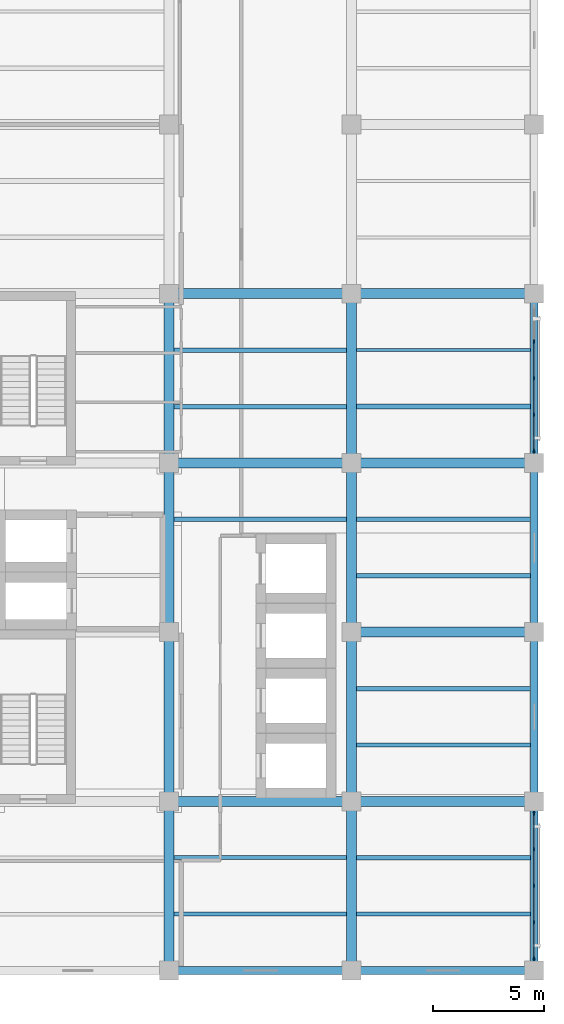
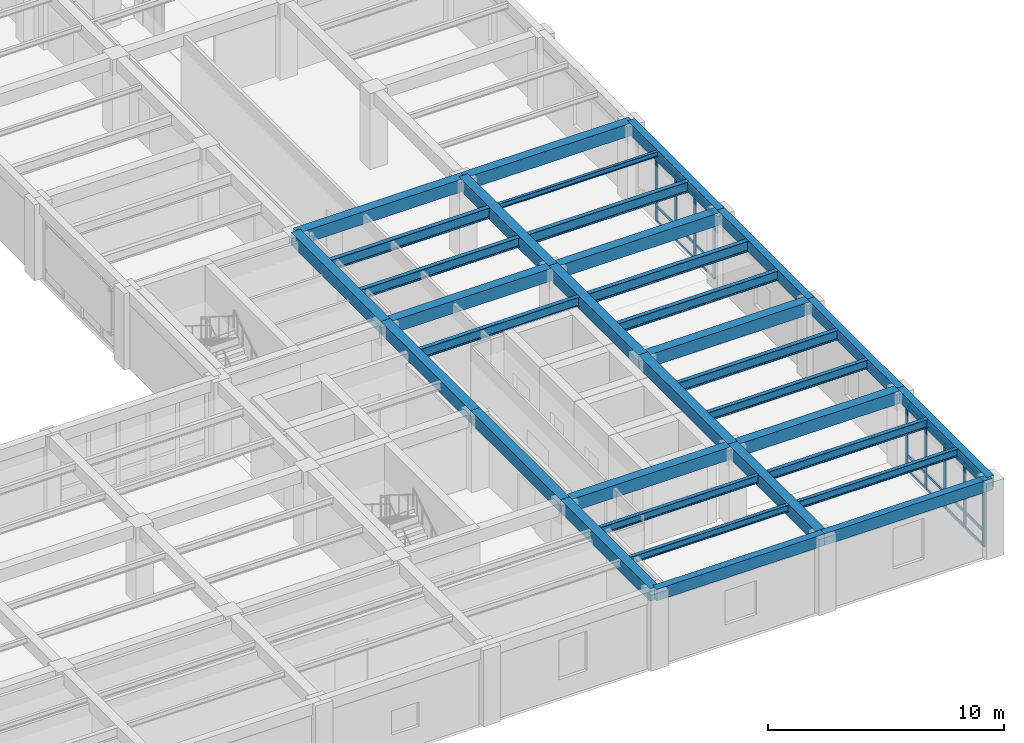
# One storey, part 3 of 17: 34 beams, 30 members, 2 elements without a shape of their own.
"""IFC4 building model written with IfcOpenShell, lengths in metres."""

from ifc_helpers import new_model, si_unit, direction, frame, origin, origin_2d, place, context, subcontext, project, spatial, rectangle, i_section, extrude, material, material_profile, profile_set, type_object, element, aggregate, save


model = new_model("IFC4")

# Units and contexts
model_context = context("Model", 3, precision=1e-05, world=origin(), true_north=direction((0.0, 1.0)))
body_context = subcontext(model_context, "Body", "Model", "MODEL_VIEW")
ifc_project = project(units=[si_unit("LENGTHUNIT", "METRE"), si_unit("AREAUNIT", "SQUARE_METRE"), si_unit("VOLUMEUNIT", "CUBIC_METRE"), si_unit("PLANEANGLEUNIT", "RADIAN"), si_unit("MASSUNIT", "GRAM", prefix="KILO")], contexts=[model_context])

# Site, building, storey
site_placement = place(None, origin())
site = spatial("IfcSite", under=ifc_project, at=site_placement, CompositionType="ELEMENT")
building_placement = place(site_placement, origin())
building = spatial("IfcBuilding", under=site, at=building_placement, Name="Qandaris Square Conservatory and Botanical Centre", CompositionType="ELEMENT")
storey_placement = place(building_placement, frame((0.0, 0.0, 28.199951171875)))
storey = spatial("IfcBuildingStorey", under=building, at=storey_placement, Name="L06", CompositionType="ELEMENT", Elevation=28.199951171875)

# Beams
ifc_material_1 = material(Name="Steel S355", Category="steel")
ifc_material_profile_1 = material_profile(ifc_material_1, i_section(OverallWidth=0.18994140625, OverallDepth=0.449951171875, WebThickness=0.009521484375, FlangeThickness=0.0146484375, FilletRadius=0.02099609375, at=origin_2d()), Name="IPE 450")
ifc_profile_set_1 = profile_set([ifc_material_profile_1], Name="Steel S355")
beam_type_1 = type_object("IfcBeamType", Name="Composite Archive Joist IPE 450", PredefinedType="JOIST", material=ifc_profile_set_1)
for number, where, z_axis, x_axis, name in (
    (1, (155.824951171875, 21.666748046875, 3.705078125), (1.0, 0.0, 0.0), (0.0, 1.0, 0.0), "L06 Composite Joist 2071"),
    (2, (155.824951171875, 26.7333984375, 3.705078125), (1.0, 0.0, 0.0), (0.0, 1.0, 0.0), "L06 Composite Joist 2072"),
):
    element("IfcBeam", number, at=place(storey_placement, frame(where, z_axis=z_axis, x_axis=x_axis)), inside=storey, type_object=beam_type_1, Name=name, PredefinedType="JOIST", context=body_context, shape_type="SweptSolid", body=[
        extrude(i_section(OverallWidth=0.18994140625, OverallDepth=0.449951171875, WebThickness=0.009521484375, FlangeThickness=0.0146484375, FilletRadius=0.02099609375, at=origin_2d()), origin(), (0.0, 0.0, 1.0), 7.800048828125),
    ])
ifc_material_profile_2 = material_profile(ifc_material_1, i_section(OverallWidth=0.199951171875, OverallDepth=0.5, WebThickness=0.01025390625, FlangeThickness=0.01611328125, FilletRadius=0.02099609375, at=origin_2d()), Name="IPE 500")
ifc_profile_set_2 = profile_set([ifc_material_profile_2], Name="Steel S355")
beam_type_2 = type_object("IfcBeamType", Name="Composite Gallery Joist IPE 500", PredefinedType="JOIST", material=ifc_profile_set_2)
for number, where, z_axis, x_axis, name in (
    (3, (147.625, 36.86669921875, 3.679931640625), (1.0, 0.0, 0.0), (0.0, 1.0, 0.0), "L06 Composite Joist 2065"),
    (4, (147.625, 41.933349609375, 3.679931640625), (1.0, 0.0, 0.0), (0.0, 1.0, 0.0), "L06 Composite Joist 2066"),
):
    element("IfcBeam", number, at=place(storey_placement, frame(where, z_axis=z_axis, x_axis=x_axis)), inside=storey, type_object=beam_type_2, Name=name, PredefinedType="JOIST", context=body_context, shape_type="SweptSolid", body=[
        extrude(i_section(OverallWidth=0.199951171875, OverallDepth=0.5, WebThickness=0.01025390625, FlangeThickness=0.01611328125, FilletRadius=0.02099609375, at=origin_2d()), origin(), (0.0, 0.0, 1.0), 7.75),
    ])
for number, where, z_axis, x_axis, name in (
    (5, (155.824951171875, 29.2666015625, 3.679931640625), (1.0, 0.0, 0.0), (0.0, 1.0, 0.0), "L06 Composite Joist 2073"),
    (6, (155.824951171875, 34.333251953125, 3.679931640625), (1.0, 0.0, 0.0), (0.0, 1.0, 0.0), "L06 Composite Joist 2074"),
):
    element("IfcBeam", number, at=place(storey_placement, frame(where, z_axis=z_axis, x_axis=x_axis)), inside=storey, type_object=beam_type_2, Name=name, PredefinedType="JOIST", context=body_context, shape_type="SweptSolid", body=[
        extrude(i_section(OverallWidth=0.199951171875, OverallDepth=0.5, WebThickness=0.01025390625, FlangeThickness=0.01611328125, FilletRadius=0.02099609375, at=origin_2d()), origin(), (0.0, 0.0, 1.0), 7.800048828125),
    ])
ifc_material_profile_3 = material_profile(ifc_material_1, i_section(OverallWidth=0.169921875, OverallDepth=0.360107421875, WebThickness=0.008056640625, FlangeThickness=0.0126953125, FilletRadius=0.01806640625, at=origin_2d()), Name="IPE 360")
ifc_profile_set_3 = profile_set([ifc_material_profile_3], Name="Steel S355")
beam_type_3 = type_object("IfcBeamType", Name="Composite Lab Joist IPE 360", PredefinedType="JOIST", material=ifc_profile_set_3)
beam_1_placement = place(storey_placement, frame((147.625, 19.13330078125, 3.75), z_axis=(1.0, 0.0, 0.0), x_axis=(0.0, 1.0, 0.0)))
element("IfcBeam", 7, at=beam_1_placement, inside=storey, type_object=beam_type_3, Name="L06 Composite Joist 2063", PredefinedType="JOIST", context=body_context, shape_type="SweptSolid", body=[
    extrude(i_section(OverallWidth=0.169921875, OverallDepth=0.360107421875, WebThickness=0.008056640625, FlangeThickness=0.0126953125, FilletRadius=0.01806640625, at=origin_2d()), origin(), (0.0, 0.0, 1.0), 7.75),
])
ifc_material_profile_4 = material_profile(ifc_material_1, i_section(OverallWidth=0.179931640625, OverallDepth=0.39990234375, WebThickness=0.008544921875, FlangeThickness=0.013427734375, FilletRadius=0.02099609375, at=origin_2d()), Name="IPE 400")
ifc_profile_set_4 = profile_set([ifc_material_profile_4], Name="Steel S355")
beam_type_4 = type_object("IfcBeamType", Name="Composite Plinth Joist IPE 400", PredefinedType="JOIST", material=ifc_profile_set_4)
beam_2_placement = place(storey_placement, frame((147.625, 21.666748046875, 3.72998046875), z_axis=(1.0, 0.0, 0.0), x_axis=(0.0, 1.0, 0.0)))
element("IfcBeam", 8, at=beam_2_placement, inside=storey, type_object=beam_type_4, Name="L06 Composite Joist 2064", PredefinedType="JOIST", context=body_context, shape_type="SweptSolid", body=[
    extrude(i_section(OverallWidth=0.179931640625, OverallDepth=0.39990234375, WebThickness=0.008544921875, FlangeThickness=0.013427734375, FilletRadius=0.02099609375, at=origin_2d()), origin(), (0.0, 0.0, 1.0), 7.75),
])
beam_3_placement = place(storey_placement, frame((155.824951171875, 19.13330078125, 3.72998046875), z_axis=(1.0, 0.0, 0.0), x_axis=(0.0, 1.0, 0.0)))
element("IfcBeam", 9, at=beam_3_placement, inside=storey, type_object=beam_type_4, Name="L06 Composite Joist 2070", PredefinedType="JOIST", context=body_context, shape_type="SweptSolid", body=[
    extrude(i_section(OverallWidth=0.179931640625, OverallDepth=0.39990234375, WebThickness=0.008544921875, FlangeThickness=0.013427734375, FilletRadius=0.02099609375, at=origin_2d()), origin(), (0.0, 0.0, 1.0), 7.800048828125),
])

# Curtain wall, members
ifc_material_2 = material(Name="Anodised Aluminium", Category="aluminium")
curtain_wall_type = type_object("IfcCurtainWallType", Name="Unitised Curtain Wall CW-4-655x334", PredefinedType="USERDEFINED", material=ifc_material_2)
curtain_wall_1_placement = place(storey_placement, origin())
curtain_wall_1 = element("IfcCurtainWall", 10, at=curtain_wall_1_placement, inside=storey, type_object=curtain_wall_type, Name="Curtain Wall CW-TWR-L06-2-1", ObjectType="GLAZED CURTAIN WALL", PredefinedType="USERDEFINED")
ifc_material_profile_5 = material_profile(ifc_material_2, rectangle(XDim=0.06494140625, YDim=0.179931640625, at=origin_2d()), Name="ALU-MUL 65x180")
ifc_profile_set_5 = profile_set([ifc_material_profile_5], Name="Anodised Aluminium")
member_type_1 = type_object("IfcMemberType", Name="Curtain Wall Mullion 65x180", PredefinedType="MULLION", material=ifc_profile_set_5)
member_1_placement = place(storey_placement, frame((163.800048828125, 17.157470703125, 0.0), z_axis=(0.0, 0.0, 1.0), x_axis=(-1.0, 0.0, 0.0)))
member_1 = element("IfcMember", 11, at=member_1_placement, type_object=member_type_1, Name="CW-4-655x334 mullion 1", PredefinedType="MULLION", context=body_context, shape_type="SweptSolid", body=[
    extrude(rectangle(XDim=0.06494140625, YDim=0.179931640625, at=origin_2d()), origin(), (0.0, 0.0, 1.0), 3.340087890625),
])
member_2_placement = place(storey_placement, frame((163.800048828125, 18.762451171875, 0.0), z_axis=(0.0, 0.0, 1.0), x_axis=(-1.0, 0.0, 0.0)))
member_2 = element("IfcMember", 12, at=member_2_placement, type_object=member_type_1, Name="CW-4-655x334 mullion 2", PredefinedType="MULLION", context=body_context, shape_type="SweptSolid", body=[
    extrude(rectangle(XDim=0.06494140625, YDim=0.179931640625, at=origin_2d()), origin(), (0.0, 0.0, 1.0), 3.340087890625),
])
member_3_placement = place(storey_placement, frame((163.800048828125, 20.39990234375, 0.0), z_axis=(0.0, 0.0, 1.0), x_axis=(-1.0, 0.0, 0.0)))
member_3 = element("IfcMember", 13, at=member_3_placement, type_object=member_type_1, Name="CW-4-655x334 mullion 3", PredefinedType="MULLION", context=body_context, shape_type="SweptSolid", body=[
    extrude(rectangle(XDim=0.06494140625, YDim=0.179931640625, at=origin_2d()), origin(), (0.0, 0.0, 1.0), 3.340087890625),
])
member_4_placement = place(storey_placement, frame((163.800048828125, 22.03759765625, 0.0), z_axis=(0.0, 0.0, 1.0), x_axis=(-1.0, 0.0, 0.0)))
member_4 = element("IfcMember", 14, at=member_4_placement, type_object=member_type_1, Name="CW-4-655x334 mullion 4", PredefinedType="MULLION", context=body_context, shape_type="SweptSolid", body=[
    extrude(rectangle(XDim=0.06494140625, YDim=0.179931640625, at=origin_2d()), origin(), (0.0, 0.0, 1.0), 3.340087890625),
])
member_5_placement = place(storey_placement, frame((163.800048828125, 23.642578125, 0.0), z_axis=(0.0, 0.0, 1.0), x_axis=(-1.0, 0.0, 0.0)))
member_5 = element("IfcMember", 15, at=member_5_placement, type_object=member_type_1, Name="CW-4-655x334 mullion 5", PredefinedType="MULLION", context=body_context, shape_type="SweptSolid", body=[
    extrude(rectangle(XDim=0.06494140625, YDim=0.179931640625, at=origin_2d()), origin(), (0.0, 0.0, 1.0), 3.340087890625),
])

curtain_wall_2_placement = place(storey_placement, origin())
curtain_wall_2 = element("IfcCurtainWall", 16, at=curtain_wall_2_placement, inside=storey, type_object=curtain_wall_type, Name="Curtain Wall CW-TWR-L06-2-4", ObjectType="GLAZED CURTAIN WALL", PredefinedType="USERDEFINED")
member_6_placement = place(storey_placement, frame((163.800048828125, 39.95751953125, 0.0), z_axis=(0.0, 0.0, 1.0), x_axis=(-1.0, 0.0, 0.0)))
member_6 = element("IfcMember", 17, at=member_6_placement, type_object=member_type_1, Name="CW-4-655x334 mullion 1", PredefinedType="MULLION", context=body_context, shape_type="SweptSolid", body=[
    extrude(rectangle(XDim=0.06494140625, YDim=0.179931640625, at=origin_2d()), origin(), (0.0, 0.0, 1.0), 3.340087890625),
])
member_7_placement = place(storey_placement, frame((163.800048828125, 41.5625, 0.0), z_axis=(0.0, 0.0, 1.0), x_axis=(-1.0, 0.0, 0.0)))
member_7 = element("IfcMember", 18, at=member_7_placement, type_object=member_type_1, Name="CW-4-655x334 mullion 2", PredefinedType="MULLION", context=body_context, shape_type="SweptSolid", body=[
    extrude(rectangle(XDim=0.06494140625, YDim=0.179931640625, at=origin_2d()), origin(), (0.0, 0.0, 1.0), 3.340087890625),
])
member_8_placement = place(storey_placement, frame((163.800048828125, 43.199951171875, 0.0), z_axis=(0.0, 0.0, 1.0), x_axis=(-1.0, 0.0, 0.0)))
member_8 = element("IfcMember", 19, at=member_8_placement, type_object=member_type_1, Name="CW-4-655x334 mullion 3", PredefinedType="MULLION", context=body_context, shape_type="SweptSolid", body=[
    extrude(rectangle(XDim=0.06494140625, YDim=0.179931640625, at=origin_2d()), origin(), (0.0, 0.0, 1.0), 3.340087890625),
])
member_9_placement = place(storey_placement, frame((163.800048828125, 44.83740234375, 0.0), z_axis=(0.0, 0.0, 1.0), x_axis=(-1.0, 0.0, 0.0)))
member_9 = element("IfcMember", 20, at=member_9_placement, type_object=member_type_1, Name="CW-4-655x334 mullion 4", PredefinedType="MULLION", context=body_context, shape_type="SweptSolid", body=[
    extrude(rectangle(XDim=0.06494140625, YDim=0.179931640625, at=origin_2d()), origin(), (0.0, 0.0, 1.0), 3.340087890625),
])

# Member
ifc_material_profile_6 = material_profile(ifc_material_2, rectangle(XDim=0.06494140625, YDim=0.139892578125, at=origin_2d()), Name="ALU-TRN 65x140")
ifc_profile_set_6 = profile_set([ifc_material_profile_6], Name="Anodised Aluminium")
member_type_2 = type_object("IfcMemberType", Name="Curtain Wall Transom 65x140", PredefinedType="USERDEFINED", material=ifc_profile_set_6)
member_10_placement = place(storey_placement, frame((163.800048828125, 17.18994140625, 0.032470703125), z_axis=(0.0, 1.0, 0.0), x_axis=(-1.0, 0.0, 0.0)))
member_10 = element("IfcMember", 21, at=member_10_placement, type_object=member_type_2, Name="CW-4-655x334 transom 1.1", ObjectType="TRANSOM", PredefinedType="USERDEFINED", context=body_context, shape_type="SweptSolid", body=[
    extrude(rectangle(XDim=0.06494140625, YDim=0.139892578125, at=origin_2d()), origin(), (0.0, 0.0, 1.0), 1.5400390625),
])

member_11_placement = place(storey_placement, frame((163.800048828125, 17.18994140625, 0.8017578125), z_axis=(0.0, 1.0, 0.0), x_axis=(-1.0, 0.0, 0.0)))
member_11 = element("IfcMember", 22, at=member_11_placement, type_object=member_type_2, Name="CW-4-655x334 transom 1.2", ObjectType="TRANSOM", PredefinedType="USERDEFINED", context=body_context, shape_type="SweptSolid", body=[
    extrude(rectangle(XDim=0.06494140625, YDim=0.139892578125, at=origin_2d()), origin(), (0.0, 0.0, 1.0), 1.5400390625),
])

member_12_placement = place(storey_placement, frame((163.800048828125, 17.18994140625, 3.3076171875), z_axis=(0.0, 1.0, 0.0), x_axis=(-1.0, 0.0, 0.0)))
member_12 = element("IfcMember", 23, at=member_12_placement, type_object=member_type_2, Name="CW-4-655x334 transom 1.3", ObjectType="TRANSOM", PredefinedType="USERDEFINED", context=body_context, shape_type="SweptSolid", body=[
    extrude(rectangle(XDim=0.06494140625, YDim=0.139892578125, at=origin_2d()), origin(), (0.0, 0.0, 1.0), 1.5400390625),
])

member_13_placement = place(storey_placement, frame((163.800048828125, 18.794921875, 0.032470703125), z_axis=(0.0, 1.0, 0.0), x_axis=(-1.0, 0.0, 0.0)))
member_13 = element("IfcMember", 24, at=member_13_placement, type_object=member_type_2, Name="CW-4-655x334 transom 2.1", ObjectType="TRANSOM", PredefinedType="USERDEFINED", context=body_context, shape_type="SweptSolid", body=[
    extrude(rectangle(XDim=0.06494140625, YDim=0.139892578125, at=origin_2d()), origin(), (0.0, 0.0, 1.0), 1.572509765625),
])

member_14_placement = place(storey_placement, frame((163.800048828125, 18.794921875, 0.8017578125), z_axis=(0.0, 1.0, 0.0), x_axis=(-1.0, 0.0, 0.0)))
member_14 = element("IfcMember", 25, at=member_14_placement, type_object=member_type_2, Name="CW-4-655x334 transom 2.2", ObjectType="TRANSOM", PredefinedType="USERDEFINED", context=body_context, shape_type="SweptSolid", body=[
    extrude(rectangle(XDim=0.06494140625, YDim=0.139892578125, at=origin_2d()), origin(), (0.0, 0.0, 1.0), 1.572509765625),
])

member_15_placement = place(storey_placement, frame((163.800048828125, 18.794921875, 3.3076171875), z_axis=(0.0, 1.0, 0.0), x_axis=(-1.0, 0.0, 0.0)))
member_15 = element("IfcMember", 26, at=member_15_placement, type_object=member_type_2, Name="CW-4-655x334 transom 2.3", ObjectType="TRANSOM", PredefinedType="USERDEFINED", context=body_context, shape_type="SweptSolid", body=[
    extrude(rectangle(XDim=0.06494140625, YDim=0.139892578125, at=origin_2d()), origin(), (0.0, 0.0, 1.0), 1.572509765625),
])

member_16_placement = place(storey_placement, frame((163.800048828125, 20.4326171875, 0.032470703125), z_axis=(0.0, 1.0, 0.0), x_axis=(-1.0, 0.0, 0.0)))
member_16 = element("IfcMember", 27, at=member_16_placement, type_object=member_type_2, Name="CW-4-655x334 transom 3.1", ObjectType="TRANSOM", PredefinedType="USERDEFINED", context=body_context, shape_type="SweptSolid", body=[
    extrude(rectangle(XDim=0.06494140625, YDim=0.139892578125, at=origin_2d()), origin(), (0.0, 0.0, 1.0), 1.572265625),
])

member_17_placement = place(storey_placement, frame((163.800048828125, 20.4326171875, 0.8017578125), z_axis=(0.0, 1.0, 0.0), x_axis=(-1.0, 0.0, 0.0)))
member_17 = element("IfcMember", 28, at=member_17_placement, type_object=member_type_2, Name="CW-4-655x334 transom 3.2", ObjectType="TRANSOM", PredefinedType="USERDEFINED", context=body_context, shape_type="SweptSolid", body=[
    extrude(rectangle(XDim=0.06494140625, YDim=0.139892578125, at=origin_2d()), origin(), (0.0, 0.0, 1.0), 1.572265625),
])

member_18_placement = place(storey_placement, frame((163.800048828125, 20.4326171875, 3.3076171875), z_axis=(0.0, 1.0, 0.0), x_axis=(-1.0, 0.0, 0.0)))
member_18 = element("IfcMember", 29, at=member_18_placement, type_object=member_type_2, Name="CW-4-655x334 transom 3.3", ObjectType="TRANSOM", PredefinedType="USERDEFINED", context=body_context, shape_type="SweptSolid", body=[
    extrude(rectangle(XDim=0.06494140625, YDim=0.139892578125, at=origin_2d()), origin(), (0.0, 0.0, 1.0), 1.572265625),
])

member_19_placement = place(storey_placement, frame((163.800048828125, 22.070068359375, 0.032470703125), z_axis=(0.0, 1.0, 0.0), x_axis=(-1.0, 0.0, 0.0)))
member_19 = element("IfcMember", 30, at=member_19_placement, type_object=member_type_2, Name="CW-4-655x334 transom 4.1", ObjectType="TRANSOM", PredefinedType="USERDEFINED", context=body_context, shape_type="SweptSolid", body=[
    extrude(rectangle(XDim=0.06494140625, YDim=0.139892578125, at=origin_2d()), origin(), (0.0, 0.0, 1.0), 1.5400390625),
])

member_20_placement = place(storey_placement, frame((163.800048828125, 22.070068359375, 0.8017578125), z_axis=(0.0, 1.0, 0.0), x_axis=(-1.0, 0.0, 0.0)))
member_20 = element("IfcMember", 31, at=member_20_placement, type_object=member_type_2, Name="CW-4-655x334 transom 4.2", ObjectType="TRANSOM", PredefinedType="USERDEFINED", context=body_context, shape_type="SweptSolid", body=[
    extrude(rectangle(XDim=0.06494140625, YDim=0.139892578125, at=origin_2d()), origin(), (0.0, 0.0, 1.0), 1.5400390625),
])

member_21_placement = place(storey_placement, frame((163.800048828125, 22.070068359375, 3.3076171875), z_axis=(0.0, 1.0, 0.0), x_axis=(-1.0, 0.0, 0.0)))
member_21 = element("IfcMember", 32, at=member_21_placement, type_object=member_type_2, Name="CW-4-655x334 transom 4.3", ObjectType="TRANSOM", PredefinedType="USERDEFINED", context=body_context, shape_type="SweptSolid", body=[
    extrude(rectangle(XDim=0.06494140625, YDim=0.139892578125, at=origin_2d()), origin(), (0.0, 0.0, 1.0), 1.5400390625),
])

aggregate(curtain_wall_1, [member_1, member_2, member_3, member_4, member_5, member_10, member_11, member_12, member_13, member_14, member_15, member_16, member_17, member_18, member_19, member_20, member_21])

member_22_placement = place(storey_placement, frame((163.800048828125, 39.989990234375, 0.032470703125), z_axis=(0.0, 1.0, 0.0), x_axis=(-1.0, 0.0, 0.0)))
member_22 = element("IfcMember", 33, at=member_22_placement, type_object=member_type_2, Name="CW-4-655x334 transom 1.1", ObjectType="TRANSOM", PredefinedType="USERDEFINED", context=body_context, shape_type="SweptSolid", body=[
    extrude(rectangle(XDim=0.06494140625, YDim=0.139892578125, at=origin_2d()), origin(), (0.0, 0.0, 1.0), 1.5400390625),
])

member_23_placement = place(storey_placement, frame((163.800048828125, 39.989990234375, 0.8017578125), z_axis=(0.0, 1.0, 0.0), x_axis=(-1.0, 0.0, 0.0)))
member_23 = element("IfcMember", 34, at=member_23_placement, type_object=member_type_2, Name="CW-4-655x334 transom 1.2", ObjectType="TRANSOM", PredefinedType="USERDEFINED", context=body_context, shape_type="SweptSolid", body=[
    extrude(rectangle(XDim=0.06494140625, YDim=0.139892578125, at=origin_2d()), origin(), (0.0, 0.0, 1.0), 1.5400390625),
])

member_24_placement = place(storey_placement, frame((163.800048828125, 39.989990234375, 3.3076171875), z_axis=(0.0, 1.0, 0.0), x_axis=(-1.0, 0.0, 0.0)))
member_24 = element("IfcMember", 35, at=member_24_placement, type_object=member_type_2, Name="CW-4-655x334 transom 1.3", ObjectType="TRANSOM", PredefinedType="USERDEFINED", context=body_context, shape_type="SweptSolid", body=[
    extrude(rectangle(XDim=0.06494140625, YDim=0.139892578125, at=origin_2d()), origin(), (0.0, 0.0, 1.0), 1.5400390625),
])

member_25_placement = place(storey_placement, frame((163.800048828125, 41.594970703125, 0.032470703125), z_axis=(0.0, 1.0, 0.0), x_axis=(-1.0, 0.0, 0.0)))
member_25 = element("IfcMember", 36, at=member_25_placement, type_object=member_type_2, Name="CW-4-655x334 transom 2.1", ObjectType="TRANSOM", PredefinedType="USERDEFINED", context=body_context, shape_type="SweptSolid", body=[
    extrude(rectangle(XDim=0.06494140625, YDim=0.139892578125, at=origin_2d()), origin(), (0.0, 0.0, 1.0), 1.572509765625),
])

member_26_placement = place(storey_placement, frame((163.800048828125, 41.594970703125, 0.8017578125), z_axis=(0.0, 1.0, 0.0), x_axis=(-1.0, 0.0, 0.0)))
member_26 = element("IfcMember", 37, at=member_26_placement, type_object=member_type_2, Name="CW-4-655x334 transom 2.2", ObjectType="TRANSOM", PredefinedType="USERDEFINED", context=body_context, shape_type="SweptSolid", body=[
    extrude(rectangle(XDim=0.06494140625, YDim=0.139892578125, at=origin_2d()), origin(), (0.0, 0.0, 1.0), 1.572509765625),
])

member_27_placement = place(storey_placement, frame((163.800048828125, 41.594970703125, 3.3076171875), z_axis=(0.0, 1.0, 0.0), x_axis=(-1.0, 0.0, 0.0)))
member_27 = element("IfcMember", 38, at=member_27_placement, type_object=member_type_2, Name="CW-4-655x334 transom 2.3", ObjectType="TRANSOM", PredefinedType="USERDEFINED", context=body_context, shape_type="SweptSolid", body=[
    extrude(rectangle(XDim=0.06494140625, YDim=0.139892578125, at=origin_2d()), origin(), (0.0, 0.0, 1.0), 1.572509765625),
])

member_28_placement = place(storey_placement, frame((163.800048828125, 43.232421875, 0.032470703125), z_axis=(0.0, 1.0, 0.0), x_axis=(-1.0, 0.0, 0.0)))
member_28 = element("IfcMember", 39, at=member_28_placement, type_object=member_type_2, Name="CW-4-655x334 transom 3.1", ObjectType="TRANSOM", PredefinedType="USERDEFINED", context=body_context, shape_type="SweptSolid", body=[
    extrude(rectangle(XDim=0.06494140625, YDim=0.139892578125, at=origin_2d()), origin(), (0.0, 0.0, 1.0), 1.572509765625),
])

member_29_placement = place(storey_placement, frame((163.800048828125, 43.232421875, 0.8017578125), z_axis=(0.0, 1.0, 0.0), x_axis=(-1.0, 0.0, 0.0)))
member_29 = element("IfcMember", 40, at=member_29_placement, type_object=member_type_2, Name="CW-4-655x334 transom 3.2", ObjectType="TRANSOM", PredefinedType="USERDEFINED", context=body_context, shape_type="SweptSolid", body=[
    extrude(rectangle(XDim=0.06494140625, YDim=0.139892578125, at=origin_2d()), origin(), (0.0, 0.0, 1.0), 1.572509765625),
])

member_30_placement = place(storey_placement, frame((163.800048828125, 43.232421875, 3.3076171875), z_axis=(0.0, 1.0, 0.0), x_axis=(-1.0, 0.0, 0.0)))
member_30 = element("IfcMember", 41, at=member_30_placement, type_object=member_type_2, Name="CW-4-655x334 transom 3.3", ObjectType="TRANSOM", PredefinedType="USERDEFINED", context=body_context, shape_type="SweptSolid", body=[
    extrude(rectangle(XDim=0.06494140625, YDim=0.139892578125, at=origin_2d()), origin(), (0.0, 0.0, 1.0), 1.572509765625),
])

aggregate(curtain_wall_2, [member_6, member_7, member_8, member_9, member_22, member_23, member_24, member_25, member_26, member_27, member_28, member_29, member_30])

# Beams
ifc_material_profile_7 = material_profile(ifc_material_1, i_section(OverallWidth=0.2099609375, OverallDepth=0.550048828125, WebThickness=0.010986328125, FlangeThickness=0.01708984375, FilletRadius=0.02392578125, at=origin_2d()), Name="IPE 550")
ifc_profile_set_7 = profile_set([ifc_material_profile_7], Name="Steel S355")
beam_type_5 = type_object("IfcBeamType", Name="Long-Span Foyer Joist IPE 550", PredefinedType="JOIST", material=ifc_profile_set_7)
beam_4_placement = place(storey_placement, frame((147.625, 44.466796875, 3.655029296875), z_axis=(1.0, 0.0, 0.0), x_axis=(0.0, 1.0, 0.0)))
element("IfcBeam", 42, at=beam_4_placement, inside=storey, type_object=beam_type_5, Name="L06 Composite Joist 2067", PredefinedType="JOIST", context=body_context, shape_type="SweptSolid", body=[
    extrude(i_section(OverallWidth=0.2099609375, OverallDepth=0.550048828125, WebThickness=0.010986328125, FlangeThickness=0.01708984375, FilletRadius=0.02392578125, at=origin_2d()), origin(), (0.0, 0.0, 1.0), 7.75),
])
for number, where, z_axis, x_axis, name in (
    (43, (155.824951171875, 36.86669921875, 3.655029296875), (1.0, 0.0, 0.0), (0.0, 1.0, 0.0), "L06 Composite Joist 2075"),
    (44, (155.824951171875, 41.933349609375, 3.655029296875), (1.0, 0.0, 0.0), (0.0, 1.0, 0.0), "L06 Composite Joist 2076"),
):
    element("IfcBeam", number, at=place(storey_placement, frame(where, z_axis=z_axis, x_axis=x_axis)), inside=storey, type_object=beam_type_5, Name=name, PredefinedType="JOIST", context=body_context, shape_type="SweptSolid", body=[
        extrude(i_section(OverallWidth=0.2099609375, OverallDepth=0.550048828125, WebThickness=0.010986328125, FlangeThickness=0.01708984375, FilletRadius=0.02392578125, at=origin_2d()), origin(), (0.0, 0.0, 1.0), 7.800048828125),
    ])
ifc_material_3 = material(Name="Concrete C50/60", Category="concrete")
ifc_material_profile_8 = material_profile(ifc_material_3, rectangle(XDim=0.35009765625, YDim=0.60009765625, at=origin_2d()), Name="RC-SP 350x600")
ifc_profile_set_8 = profile_set([ifc_material_profile_8], Name="Concrete C50/60")
beam_type_6 = type_object("IfcBeamType", Name="RC Edge Spandrel Beam 350x600", PredefinedType="SPANDREL", material=ifc_profile_set_8)
beam_5_placement = place(storey_placement, frame((147.39990234375, 16.60009765625, 3.64013671875), z_axis=(1.0, 0.0, 0.0), x_axis=(0.0, 1.0, 0.0)))
element("IfcBeam", 45, at=beam_5_placement, inside=storey, type_object=beam_type_6, Name="L06 Frame Beam 1961", PredefinedType="SPANDREL", context=body_context, shape_type="SweptSolid", body=[
    extrude(rectangle(XDim=0.35009765625, YDim=0.60009765625, at=origin_2d()), origin(), (0.0, 0.0, 1.0), 8.2001953125),
])
beam_6_placement = place(storey_placement, frame((155.60009765625, 16.60009765625, 3.64013671875), z_axis=(1.0, 0.0, 0.0), x_axis=(0.0, 1.0, 0.0)))
element("IfcBeam", 46, at=beam_6_placement, inside=storey, type_object=beam_type_6, Name="L06 Frame Beam 1962", PredefinedType="SPANDREL", context=body_context, shape_type="SweptSolid", body=[
    extrude(rectangle(XDim=0.35009765625, YDim=0.60009765625, at=origin_2d()), origin(), (0.0, 0.0, 1.0), 8.199951171875),
])
beam_7_placement = place(storey_placement, frame((163.800048828125, 16.60009765625, 3.64013671875), z_axis=(0.0, 1.0, 0.0), x_axis=(-1.0, 0.0, 0.0)))
element("IfcBeam", 47, at=beam_7_placement, inside=storey, type_object=beam_type_6, Name="L06 Frame Beam 2026", PredefinedType="SPANDREL", context=body_context, shape_type="SweptSolid", body=[
    extrude(rectangle(XDim=0.35009765625, YDim=0.60009765625, at=origin_2d()), origin(), (0.0, 0.0, 1.0), 7.599853515625),
])
beam_8_placement = place(storey_placement, frame((163.800048828125, 24.199951171875, 3.64013671875), z_axis=(0.0, 1.0, 0.0), x_axis=(-1.0, 0.0, 0.0)))
element("IfcBeam", 48, at=beam_8_placement, inside=storey, type_object=beam_type_6, Name="L06 Frame Beam 2027", PredefinedType="SPANDREL", context=body_context, shape_type="SweptSolid", body=[
    extrude(rectangle(XDim=0.35009765625, YDim=0.60009765625, at=origin_2d()), origin(), (0.0, 0.0, 1.0), 7.60009765625),
])
beam_9_placement = place(storey_placement, frame((163.800048828125, 31.800048828125, 3.64013671875), z_axis=(0.0, 1.0, 0.0), x_axis=(-1.0, 0.0, 0.0)))
element("IfcBeam", 49, at=beam_9_placement, inside=storey, type_object=beam_type_6, Name="L06 Frame Beam 2028", PredefinedType="SPANDREL", context=body_context, shape_type="SweptSolid", body=[
    extrude(rectangle(XDim=0.35009765625, YDim=0.60009765625, at=origin_2d()), origin(), (0.0, 0.0, 1.0), 7.599853515625),
])
beam_10_placement = place(storey_placement, frame((163.800048828125, 39.39990234375, 3.64013671875), z_axis=(0.0, 1.0, 0.0), x_axis=(-1.0, 0.0, 0.0)))
element("IfcBeam", 50, at=beam_10_placement, inside=storey, type_object=beam_type_6, Name="L06 Frame Beam 2029", PredefinedType="SPANDREL", context=body_context, shape_type="SweptSolid", body=[
    extrude(rectangle(XDim=0.35009765625, YDim=0.60009765625, at=origin_2d()), origin(), (0.0, 0.0, 1.0), 7.60009765625),
])
ifc_material_profile_9 = material_profile(ifc_material_3, rectangle(XDim=0.449951171875, YDim=0.64990234375, at=origin_2d()), Name="RC-BM 450x650")
ifc_profile_set_9 = profile_set([ifc_material_profile_9], Name="Concrete C50/60")
beam_type_7 = type_object("IfcBeamType", Name="RC Floor Girder 450x650", PredefinedType="BEAM", material=ifc_profile_set_9)
beam_11_placement = place(storey_placement, frame((147.39990234375, 24.199951171875, 3.614990234375), z_axis=(1.0, 0.0, 0.0), x_axis=(0.0, 1.0, 0.0)))
element("IfcBeam", 51, at=beam_11_placement, inside=storey, type_object=beam_type_7, Name="L06 Frame Beam 1967", PredefinedType="BEAM", context=body_context, shape_type="SweptSolid", body=[
    extrude(rectangle(XDim=0.449951171875, YDim=0.64990234375, at=origin_2d()), origin(), (0.0, 0.0, 1.0), 8.2001953125),
])
for number, where, z_axis, x_axis, name in (
    (52, (155.60009765625, 24.199951171875, 3.614990234375), (1.0, 0.0, 0.0), (0.0, 1.0, 0.0), "L06 Frame Beam 1968"),
    (53, (155.60009765625, 31.800048828125, 3.614990234375), (1.0, 0.0, 0.0), (0.0, 1.0, 0.0), "L06 Frame Beam 1973"),
):
    element("IfcBeam", number, at=place(storey_placement, frame(where, z_axis=z_axis, x_axis=x_axis)), inside=storey, type_object=beam_type_7, Name=name, PredefinedType="BEAM", context=body_context, shape_type="SweptSolid", body=[
        extrude(rectangle(XDim=0.449951171875, YDim=0.64990234375, at=origin_2d()), origin(), (0.0, 0.0, 1.0), 8.199951171875),
    ])
beam_12_placement = place(storey_placement, frame((147.39990234375, 39.39990234375, 3.614990234375), z_axis=(1.0, 0.0, 0.0), x_axis=(0.0, 1.0, 0.0)))
element("IfcBeam", 54, at=beam_12_placement, inside=storey, type_object=beam_type_7, Name="L06 Frame Beam 1978", PredefinedType="BEAM", context=body_context, shape_type="SweptSolid", body=[
    extrude(rectangle(XDim=0.449951171875, YDim=0.64990234375, at=origin_2d()), origin(), (0.0, 0.0, 1.0), 8.2001953125),
])
beam_13_placement = place(storey_placement, frame((155.60009765625, 39.39990234375, 3.614990234375), z_axis=(1.0, 0.0, 0.0), x_axis=(0.0, 1.0, 0.0)))
element("IfcBeam", 55, at=beam_13_placement, inside=storey, type_object=beam_type_7, Name="L06 Frame Beam 1979", PredefinedType="BEAM", context=body_context, shape_type="SweptSolid", body=[
    extrude(rectangle(XDim=0.449951171875, YDim=0.64990234375, at=origin_2d()), origin(), (0.0, 0.0, 1.0), 8.199951171875),
])
beam_14_placement = place(storey_placement, frame((147.39990234375, 47.0, 3.614990234375), z_axis=(1.0, 0.0, 0.0), x_axis=(0.0, 1.0, 0.0)))
element("IfcBeam", 56, at=beam_14_placement, inside=storey, type_object=beam_type_7, Name="L06 Frame Beam 1981", PredefinedType="BEAM", context=body_context, shape_type="SweptSolid", body=[
    extrude(rectangle(XDim=0.449951171875, YDim=0.64990234375, at=origin_2d()), origin(), (0.0, 0.0, 1.0), 8.2001953125),
])
beam_15_placement = place(storey_placement, frame((155.60009765625, 47.0, 3.614990234375), z_axis=(1.0, 0.0, 0.0), x_axis=(0.0, 1.0, 0.0)))
element("IfcBeam", 57, at=beam_15_placement, inside=storey, type_object=beam_type_7, Name="L06 Frame Beam 1982", PredefinedType="BEAM", context=body_context, shape_type="SweptSolid", body=[
    extrude(rectangle(XDim=0.449951171875, YDim=0.64990234375, at=origin_2d()), origin(), (0.0, 0.0, 1.0), 8.199951171875),
])
beam_16_placement = place(storey_placement, frame((147.39990234375, 16.60009765625, 3.614990234375), z_axis=(0.0, 1.0, 0.0), x_axis=(-1.0, 0.0, 0.0)))
element("IfcBeam", 58, at=beam_16_placement, inside=storey, type_object=beam_type_7, Name="L06 Frame Beam 2010", PredefinedType="BEAM", context=body_context, shape_type="SweptSolid", body=[
    extrude(rectangle(XDim=0.449951171875, YDim=0.64990234375, at=origin_2d()), origin(), (0.0, 0.0, 1.0), 7.599853515625),
])
beam_17_placement = place(storey_placement, frame((147.39990234375, 24.199951171875, 3.614990234375), z_axis=(0.0, 1.0, 0.0), x_axis=(-1.0, 0.0, 0.0)))
element("IfcBeam", 59, at=beam_17_placement, inside=storey, type_object=beam_type_7, Name="L06 Frame Beam 2011", PredefinedType="BEAM", context=body_context, shape_type="SweptSolid", body=[
    extrude(rectangle(XDim=0.449951171875, YDim=0.64990234375, at=origin_2d()), origin(), (0.0, 0.0, 1.0), 7.60009765625),
])
beam_18_placement = place(storey_placement, frame((147.39990234375, 31.800048828125, 3.614990234375), z_axis=(0.0, 1.0, 0.0), x_axis=(-1.0, 0.0, 0.0)))
element("IfcBeam", 60, at=beam_18_placement, inside=storey, type_object=beam_type_7, Name="L06 Frame Beam 2012", PredefinedType="BEAM", context=body_context, shape_type="SweptSolid", body=[
    extrude(rectangle(XDim=0.449951171875, YDim=0.64990234375, at=origin_2d()), origin(), (0.0, 0.0, 1.0), 7.599853515625),
])
beam_19_placement = place(storey_placement, frame((147.39990234375, 39.39990234375, 3.614990234375), z_axis=(0.0, 1.0, 0.0), x_axis=(-1.0, 0.0, 0.0)))
element("IfcBeam", 61, at=beam_19_placement, inside=storey, type_object=beam_type_7, Name="L06 Frame Beam 2013", PredefinedType="BEAM", context=body_context, shape_type="SweptSolid", body=[
    extrude(rectangle(XDim=0.449951171875, YDim=0.64990234375, at=origin_2d()), origin(), (0.0, 0.0, 1.0), 7.60009765625),
])
beam_20_placement = place(storey_placement, frame((155.60009765625, 16.60009765625, 3.614990234375), z_axis=(0.0, 1.0, 0.0), x_axis=(-1.0, 0.0, 0.0)))
element("IfcBeam", 62, at=beam_20_placement, inside=storey, type_object=beam_type_7, Name="L06 Frame Beam 2018", PredefinedType="BEAM", context=body_context, shape_type="SweptSolid", body=[
    extrude(rectangle(XDim=0.449951171875, YDim=0.64990234375, at=origin_2d()), origin(), (0.0, 0.0, 1.0), 7.599853515625),
])
beam_21_placement = place(storey_placement, frame((155.60009765625, 24.199951171875, 3.614990234375), z_axis=(0.0, 1.0, 0.0), x_axis=(-1.0, 0.0, 0.0)))
element("IfcBeam", 63, at=beam_21_placement, inside=storey, type_object=beam_type_7, Name="L06 Frame Beam 2019", PredefinedType="BEAM", context=body_context, shape_type="SweptSolid", body=[
    extrude(rectangle(XDim=0.449951171875, YDim=0.64990234375, at=origin_2d()), origin(), (0.0, 0.0, 1.0), 7.60009765625),
])
beam_22_placement = place(storey_placement, frame((155.60009765625, 31.800048828125, 3.614990234375), z_axis=(0.0, 1.0, 0.0), x_axis=(-1.0, 0.0, 0.0)))
element("IfcBeam", 64, at=beam_22_placement, inside=storey, type_object=beam_type_7, Name="L06 Frame Beam 2020", PredefinedType="BEAM", context=body_context, shape_type="SweptSolid", body=[
    extrude(rectangle(XDim=0.449951171875, YDim=0.64990234375, at=origin_2d()), origin(), (0.0, 0.0, 1.0), 7.599853515625),
])
beam_23_placement = place(storey_placement, frame((155.60009765625, 39.39990234375, 3.614990234375), z_axis=(0.0, 1.0, 0.0), x_axis=(-1.0, 0.0, 0.0)))
element("IfcBeam", 65, at=beam_23_placement, inside=storey, type_object=beam_type_7, Name="L06 Frame Beam 2021", PredefinedType="BEAM", context=body_context, shape_type="SweptSolid", body=[
    extrude(rectangle(XDim=0.449951171875, YDim=0.64990234375, at=origin_2d()), origin(), (0.0, 0.0, 1.0), 7.60009765625),
])
ifc_material_profile_10 = material_profile(ifc_material_1, i_section(OverallWidth=0.135009765625, OverallDepth=0.27001953125, WebThickness=0.006591796875, FlangeThickness=0.01025390625, FilletRadius=0.014892578125, at=origin_2d()), Name="IPE 270")
ifc_profile_set_10 = profile_set([ifc_material_profile_10], Name="Steel S355")
beam_type_8 = type_object("IfcBeamType", Name="Steel Floor Joist IPE 270", PredefinedType="JOIST", material=ifc_profile_set_10)
beam_24_placement = place(storey_placement, frame((155.824951171875, 44.466796875, 3.795166015625), z_axis=(1.0, 0.0, 0.0), x_axis=(0.0, 1.0, 0.0)))
element("IfcBeam", 66, at=beam_24_placement, inside=storey, type_object=beam_type_8, Name="L06 Composite Joist 2077", PredefinedType="JOIST", context=body_context, shape_type="SweptSolid", body=[
    extrude(i_section(OverallWidth=0.135009765625, OverallDepth=0.27001953125, WebThickness=0.006591796875, FlangeThickness=0.01025390625, FilletRadius=0.014892578125, at=origin_2d()), origin(), (0.0, 0.0, 1.0), 7.800048828125),
])

save(model, "model.ifc")
